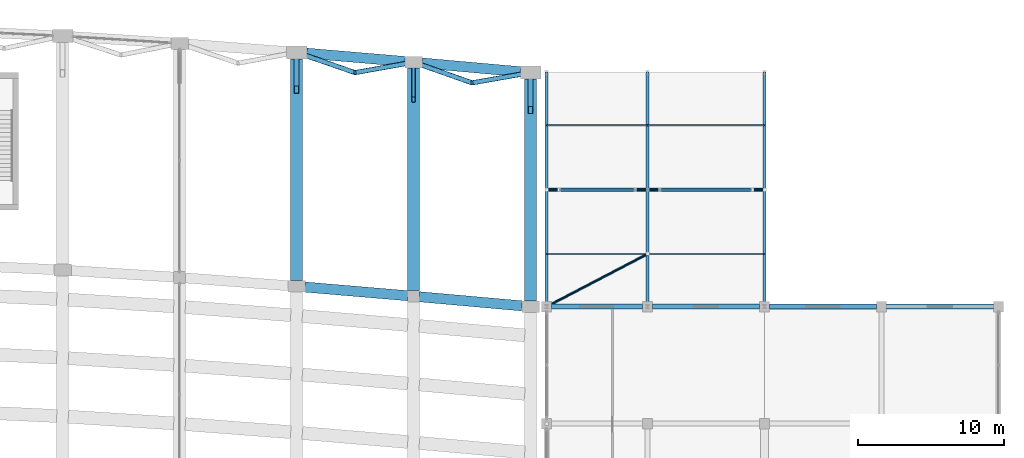
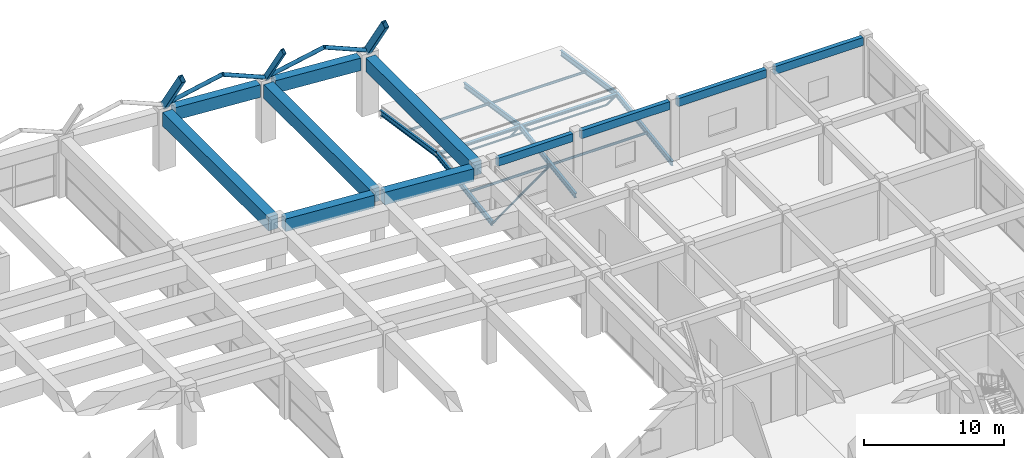
# One storey, part 39 of 69: 20 beams, 16 members.
"""IFC4 building model written with IfcOpenShell, lengths in metres."""

from ifc_helpers import new_model, si_unit, direction, frame, origin, origin_2d, place, context, subcontext, project, spatial, rectangle, hollow_rectangle, hollow_circle, i_section, extrude, material, material_profile, profile_set, type_object, element, save


model = new_model("IFC4")

# Units and contexts
model_context = context("Model", 3, precision=1e-05, world=origin(), true_north=direction((0.0, 1.0)))
body_context = subcontext(model_context, "Body", "Model", "MODEL_VIEW")
ifc_project = project(units=[si_unit("LENGTHUNIT", "METRE"), si_unit("AREAUNIT", "SQUARE_METRE"), si_unit("VOLUMEUNIT", "CUBIC_METRE"), si_unit("PLANEANGLEUNIT", "RADIAN"), si_unit("MASSUNIT", "GRAM", prefix="KILO")], contexts=[model_context])

# Site, building, storey
site_placement = place(None, origin())
site = spatial("IfcSite", under=ifc_project, at=site_placement, CompositionType="ELEMENT")
building_placement = place(site_placement, origin())
building = spatial("IfcBuilding", under=site, at=building_placement, Name="Kenh Van Central Station", CompositionType="ELEMENT")
storey_placement = place(building_placement, frame((0.0, 0.0, 5.39990234375)))
storey = spatial("IfcBuildingStorey", under=building, at=storey_placement, Name="L01", CompositionType="ELEMENT", Elevation=5.39990234375)

# Beams
ifc_material_1 = material(Name="Concrete C40/50", Category="concrete")
ifc_material_profile_1 = material_profile(ifc_material_1, rectangle(XDim=0.699951171875, YDim=1.10009765625, at=origin_2d()), Name="RC 700x1100")
ifc_profile_set_1 = profile_set([ifc_material_profile_1], Name="Concrete C40/50")
beam_type_1 = type_object("IfcBeamType", Name="BM-RC-700x1100", PredefinedType="BEAM", material=ifc_profile_set_1)
beam_1_placement = place(storey_placement, frame((128.587890625, 97.338623046875, 4.530029296875), z_axis=(0.996445671576, -0.084237898821, 0.0), x_axis=(0.084237898821, 0.996445671576, 0.0)))
element("IfcBeam", 1, at=beam_1_placement, inside=storey, type_object=beam_type_1, Name="L01 viaduct girder 1420", PredefinedType="BEAM", context=body_context, shape_type="SweptSolid", body=[
    extrude(rectangle(XDim=0.699951171875, YDim=1.10009765625, at=origin_2d()), origin(), (0.0, 0.0, 1.0), 7.048583984375),
])
beam_2_placement = place(storey_placement, frame((136.388427734375, 96.677490234375, 4.530029296875), z_axis=(0.996061437134, -0.088665740024, 0.0), x_axis=(0.088665740024, 0.996061437134, 0.0)))
element("IfcBeam", 2, at=beam_2_placement, inside=storey, type_object=beam_type_1, Name="L01 viaduct girder 1421", PredefinedType="BEAM", context=body_context, shape_type="SweptSolid", body=[
    extrude(rectangle(XDim=0.699951171875, YDim=1.10009765625, at=origin_2d()), origin(), (0.0, 0.0, 1.0), 7.0517578125),
])
beam_3_placement = place(storey_placement, frame((128.6875, 113.330322265625, 4.530029296875), z_axis=(0.996444229131, -0.084254959688, 0.0), x_axis=(0.084254959688, 0.996444229131, 0.0)))
element("IfcBeam", 3, at=beam_3_placement, inside=storey, type_object=beam_type_1, Name="L01 viaduct girder 1434", PredefinedType="BEAM", context=body_context, shape_type="SweptSolid", body=[
    extrude(rectangle(XDim=0.699951171875, YDim=1.10009765625, at=origin_2d()), origin(), (0.0, 0.0, 1.0), 6.74853515625),
])
beam_4_placement = place(storey_placement, frame((136.587646484375, 112.65966796875, 4.530029296875), z_axis=(0.996064770489, -0.088628285503, 0.0), x_axis=(0.088628285503, 0.996064770489, 0.0)))
element("IfcBeam", 4, at=beam_4_placement, inside=storey, type_object=beam_type_1, Name="L01 viaduct girder 1435", PredefinedType="BEAM", context=body_context, shape_type="SweptSolid", body=[
    extrude(rectangle(XDim=0.699951171875, YDim=1.10009765625, at=origin_2d()), origin(), (0.0, 0.0, 1.0), 6.751708984375),
])
ifc_material_2 = material(Name="Steel S355", Category="steel")
ifc_material_profile_2 = material_profile(ifc_material_2, i_section(OverallWidth=0.18994140625, OverallDepth=0.449951171875, WebThickness=0.009521484375, FlangeThickness=0.0146484375, FilletRadius=0.02099609375, at=origin_2d()), Name="IPE 450")
ifc_profile_set_2 = profile_set([ifc_material_profile_2], Name="Steel S355")
beam_type_2 = type_object("IfcBeamType", Name="BM-STL-IPE450", PredefinedType="BEAM", material=ifc_profile_set_2)
for number, where, z_axis, x_axis, name in (
    (5, (145.10009765625, 96.0, -0.4697265625), (0.0, 0.988937238327, 0.148334549755), (-1.0, 0.0, 0.0), "L01 roof rafter 146"),
    (6, (145.10009765625, 104.0, 0.730224609375), (0.0, 0.988937238327, -0.148334549755), (-1.0, 0.0, 0.0), "L01 roof rafter 147"),
    (7, (152.0, 96.0, -0.4697265625), (0.0, 0.988937238327, 0.148334549755), (-1.0, 0.0, 0.0), "L01 roof rafter 148"),
    (8, (152.0, 104.0, 0.730224609375), (0.0, 0.988937238327, -0.148334549755), (-1.0, 0.0, 0.0), "L01 roof rafter 149"),
    (9, (160.0, 96.0, -0.4697265625), (0.0, 0.988937238327, 0.148334549755), (-1.0, 0.0, 0.0), "L01 roof rafter 150"),
    (10, (160.0, 104.0, 0.730224609375), (0.0, 0.988937238327, -0.148334549755), (-1.0, 0.0, 0.0), "L01 roof rafter 151"),
):
    element("IfcBeam", number, at=place(storey_placement, frame(where, z_axis=z_axis, x_axis=x_axis)), inside=storey, type_object=beam_type_2, Name=name, PredefinedType="BEAM", context=body_context, shape_type="SweptSolid", body=[
        extrude(i_section(OverallWidth=0.18994140625, OverallDepth=0.449951171875, WebThickness=0.009521484375, FlangeThickness=0.0146484375, FilletRadius=0.02099609375, at=origin_2d()), origin(), (0.0, 0.0, 1.0), 8.089599609375),
    ])
ifc_material_profile_3 = material_profile(ifc_material_1, rectangle(XDim=0.800048828125, YDim=1.199951171875, at=origin_2d()), Name="RC 800x1200")
ifc_profile_set_3 = profile_set([ifc_material_profile_3], Name="Concrete C40/50")
beam_type_3 = type_object("IfcBeamType", Name="BM-TRK-800x1200", PredefinedType="BEAM", material=ifc_profile_set_3)
beam_5_placement = place(storey_placement, frame((128.0, 97.7783203125, 4.47998046875), z_axis=(0.0, 1.0, 0.0), x_axis=(-1.0, 0.0, 0.0)))
element("IfcBeam", 11, at=beam_5_placement, inside=storey, type_object=beam_type_3, Name="L01 viaduct cross-girder 1468", PredefinedType="BEAM", context=body_context, shape_type="SweptSolid", body=[
    extrude(rectangle(XDim=0.800048828125, YDim=1.199951171875, at=origin_2d()), origin(), (0.0, 0.0, 1.0), 15.170166015625),
])
beam_6_placement = place(storey_placement, frame((136.0, 97.10205078125, 4.47998046875), z_axis=(0.0, 1.0, 0.0), x_axis=(-1.0, 0.0, 0.0)))
element("IfcBeam", 12, at=beam_6_placement, inside=storey, type_object=beam_type_3, Name="L01 viaduct cross-girder 1471", PredefinedType="BEAM", context=body_context, shape_type="SweptSolid", body=[
    extrude(rectangle(XDim=0.800048828125, YDim=1.199951171875, at=origin_2d()), origin(), (0.0, 0.0, 1.0), 15.219970703125),
])
beam_7_placement = place(storey_placement, frame((144.0, 96.389892578125, 4.47998046875), z_axis=(0.0, 1.0, 0.0), x_axis=(-1.0, 0.0, 0.0)))
element("IfcBeam", 13, at=beam_7_placement, inside=storey, type_object=beam_type_3, Name="L01 viaduct cross-girder 1474", PredefinedType="BEAM", context=body_context, shape_type="SweptSolid", body=[
    extrude(rectangle(XDim=0.800048828125, YDim=1.199951171875, at=origin_2d()), origin(), (0.0, 0.0, 1.0), 15.170166015625),
])
ifc_material_3 = material(Name="White fluoropolymer structural steel S355", Category="steel")
ifc_material_profile_4 = material_profile(ifc_material_3, hollow_rectangle(XDim=0.35009765625, YDim=0.60009765625, WallThickness=0.01611328125, InnerFilletRadius=0.01611328125, OuterFilletRadius=0.031982421875, at=origin_2d()), Name="RHS 600x350x16")
ifc_profile_set_4 = profile_set([ifc_material_profile_4], Name="White fluoropolymer structural steel S355")
beam_type_4 = type_object("IfcBeamType", Name="BM-VAULT-ARCH600", PredefinedType="BEAM", material=ifc_profile_set_4)
for number, where, z_axis, x_axis, name in (
    (14, (128.0, 110.8359375, 9.161865234375), (0.0, 0.549413802018, -0.835550401922), (-1.0, 0.0, 0.0), "Vault transverse arch 153"),
    (15, (144.0, 109.447509765625, 9.161865234375), (0.0, 0.549413802018, -0.835550401922), (-1.0, 0.0, 0.0), "Vault transverse arch 177"),
):
    element("IfcBeam", number, at=place(storey_placement, frame(where, z_axis=z_axis, x_axis=x_axis)), inside=storey, type_object=beam_type_4, Name=name, PredefinedType="BEAM", context=body_context, shape_type="SweptSolid", body=[
        extrude(hollow_rectangle(XDim=0.35009765625, YDim=0.60009765625, WallThickness=0.01611328125, InnerFilletRadius=0.01611328125, OuterFilletRadius=0.031982421875, at=origin_2d()), origin(), (0.0, 0.0, 1.0), 4.645751953125),
    ])
ifc_material_profile_5 = material_profile(ifc_material_3, hollow_rectangle(XDim=0.25, YDim=0.449951171875, WallThickness=0.012451171875, InnerFilletRadius=0.012451171875, OuterFilletRadius=0.02490234375, at=origin_2d()), Name="RHS 450x250x12.5")
ifc_profile_set_5 = profile_set([ifc_material_profile_5], Name="White fluoropolymer structural steel S355")
beam_type_5 = type_object("IfcBeamType", Name="BM-VAULT-SUB450", PredefinedType="BEAM", material=ifc_profile_set_5)
beam_8_placement = place(storey_placement, frame((136.0, 110.15966796875, 9.161865234375), z_axis=(0.0, 0.549413802018, -0.835550401922), x_axis=(-1.0, 0.0, 0.0)))
element("IfcBeam", 16, at=beam_8_placement, inside=storey, type_object=beam_type_5, Name="Vault transverse arch 165", PredefinedType="BEAM", context=body_context, shape_type="SweptSolid", body=[
    extrude(hollow_rectangle(XDim=0.25, YDim=0.449951171875, WallThickness=0.012451171875, InnerFilletRadius=0.012451171875, OuterFilletRadius=0.02490234375, at=origin_2d()), origin(), (0.0, 0.0, 1.0), 4.645751953125),
])

# Members
ifc_material_profile_6 = material_profile(ifc_material_2, i_section(OverallWidth=0.10009765625, OverallDepth=0.199951171875, WebThickness=0.005615234375, FlangeThickness=0.008544921875, FilletRadius=0.011962890625, at=origin_2d()), Name="IPE 200")
ifc_profile_set_6 = profile_set([ifc_material_profile_6], Name="Steel S355")
member_type_1 = type_object("IfcMemberType", Name="MEM-PUR-IPE200", PredefinedType="PURLIN", material=ifc_profile_set_6)
member_1_placement = place(storey_placement, frame((145.10009765625, 99.60009765625, 0.0703125), z_axis=(1.0, 0.0, 0.0), x_axis=(0.0, 1.0, 0.0)))
element("IfcMember", 17, at=member_1_placement, inside=storey, type_object=member_type_1, Name="L01 roof purlin 067", PredefinedType="PURLIN", context=body_context, shape_type="SweptSolid", body=[
    extrude(i_section(OverallWidth=0.10009765625, OverallDepth=0.199951171875, WebThickness=0.005615234375, FlangeThickness=0.008544921875, FilletRadius=0.011962890625, at=origin_2d()), origin(), (0.0, 0.0, 1.0), 6.89990234375),
])
member_2_placement = place(storey_placement, frame((152.0, 99.60009765625, 0.0703125), z_axis=(1.0, 0.0, 0.0), x_axis=(0.0, 1.0, 0.0)))
element("IfcMember", 18, at=member_2_placement, inside=storey, type_object=member_type_1, Name="L01 roof purlin 068", PredefinedType="PURLIN", context=body_context, shape_type="SweptSolid", body=[
    extrude(i_section(OverallWidth=0.10009765625, OverallDepth=0.199951171875, WebThickness=0.005615234375, FlangeThickness=0.008544921875, FilletRadius=0.011962890625, at=origin_2d()), origin(), (0.0, 0.0, 1.0), 8.0),
])
member_3_placement = place(storey_placement, frame((145.10009765625, 108.39990234375, 0.0703125), z_axis=(1.0, 0.0, 0.0), x_axis=(0.0, 1.0, 0.0)))
element("IfcMember", 19, at=member_3_placement, inside=storey, type_object=member_type_1, Name="L01 roof purlin 069", PredefinedType="PURLIN", context=body_context, shape_type="SweptSolid", body=[
    extrude(i_section(OverallWidth=0.10009765625, OverallDepth=0.199951171875, WebThickness=0.005615234375, FlangeThickness=0.008544921875, FilletRadius=0.011962890625, at=origin_2d()), origin(), (0.0, 0.0, 1.0), 6.89990234375),
])
member_4_placement = place(storey_placement, frame((152.0, 108.39990234375, 0.0703125), z_axis=(1.0, 0.0, 0.0), x_axis=(0.0, 1.0, 0.0)))
element("IfcMember", 20, at=member_4_placement, inside=storey, type_object=member_type_1, Name="L01 roof purlin 070", PredefinedType="PURLIN", context=body_context, shape_type="SweptSolid", body=[
    extrude(i_section(OverallWidth=0.10009765625, OverallDepth=0.199951171875, WebThickness=0.005615234375, FlangeThickness=0.008544921875, FilletRadius=0.011962890625, at=origin_2d()), origin(), (0.0, 0.0, 1.0), 8.0),
])
ifc_material_profile_7 = material_profile(ifc_material_2, hollow_circle(Radius=0.084228515625, WallThickness=0.008056640625, at=origin_2d()), Name="CHS 168.3x8")
ifc_profile_set_7 = profile_set([ifc_material_profile_7], Name="Steel S355")
member_type_2 = type_object("IfcMemberType", Name="MEM-ROOF-BRC168", PredefinedType="BRACE", material=ifc_profile_set_7)
member_5_placement = place(storey_placement, frame((145.10009765625, 96.0, -0.4697265625), z_axis=(0.884450252827, 0.461471354759, 0.069223832682), x_axis=(-0.462581015719, 0.886577015208, 0.0)))
element("IfcMember", 21, at=member_5_placement, inside=storey, type_object=member_type_2, Name="L01 roof wind brace 041", PredefinedType="BRACE", context=body_context, shape_type="SweptSolid", body=[
    extrude(hollow_circle(Radius=0.084228515625, WallThickness=0.008056640625, at=origin_2d()), origin(), (0.0, 0.0, 1.0), 7.80126953125),
])
member_6_placement = place(storey_placement, frame((145.949951171875, 104.0, 0.1103515625), z_axis=(1.0, 0.0, 0.0), x_axis=(0.0, 1.0, 0.0)))
element("IfcMember", 22, at=member_6_placement, inside=storey, type_object=member_type_2, Name="L01 roof truss lower chord 042", PredefinedType="BRACE", context=body_context, shape_type="SweptSolid", body=[
    extrude(hollow_circle(Radius=0.084228515625, WallThickness=0.008056640625, at=origin_2d()), origin(), (0.0, 0.0, 1.0), 13.199951171875),
])
for number, where, z_axis, x_axis, name in (
    (23, (145.949951171875, 104.0, 0.1103515625), (-0.80792235235, 0.0, 0.589288955075), (0.0, -1.0, 0.0), "L01 roof truss web diagonal 043"),
    (24, (151.14990234375, 104.0, 0.1103515625), (0.808002927302, 0.0, 0.589178469966), (0.0, 1.0, 0.0), "L01 roof truss web diagonal 044"),
    (25, (152.85009765625, 104.0, 0.1103515625), (-0.808002927302, 0.0, 0.589178469966), (0.0, -1.0, 0.0), "L01 roof truss web diagonal 045"),
    (26, (159.14990234375, 104.0, 0.1103515625), (0.808002927302, 0.0, 0.589178469966), (0.0, 1.0, 0.0), "L01 roof truss web diagonal 046"),
):
    element("IfcMember", number, at=place(storey_placement, frame(where, z_axis=z_axis, x_axis=x_axis)), inside=storey, type_object=member_type_2, Name=name, PredefinedType="BRACE", context=body_context, shape_type="SweptSolid", body=[
        extrude(hollow_circle(Radius=0.084228515625, WallThickness=0.008056640625, at=origin_2d()), origin(), (0.0, 0.0, 1.0), 1.052001953125),
    ])
ifc_material_profile_8 = material_profile(ifc_material_2, i_section(OverallWidth=0.239990234375, OverallDepth=0.22998046875, WebThickness=0.007568359375, FlangeThickness=0.011962890625, FilletRadius=0.02099609375, at=origin_2d()), Name="HEA 240")
ifc_profile_set_8 = profile_set([ifc_material_profile_8], Name="Steel S355")
member_type_3 = type_object("IfcMemberType", Name="MEM-ROOF-HEA240", PredefinedType="CHORD", material=ifc_profile_set_8)
member_7_placement = place(storey_placement, frame((145.10009765625, 104.0, 0.730224609375), z_axis=(1.0, 0.0, 0.0), x_axis=(0.0, 1.0, 0.0)))
element("IfcMember", 27, at=member_7_placement, inside=storey, type_object=member_type_3, Name="L01 roof ridge chord 144", PredefinedType="CHORD", context=body_context, shape_type="SweptSolid", body=[
    extrude(i_section(OverallWidth=0.239990234375, OverallDepth=0.22998046875, WebThickness=0.007568359375, FlangeThickness=0.011962890625, FilletRadius=0.02099609375, at=origin_2d()), origin(), (0.0, 0.0, 1.0), 6.89990234375),
])
member_8_placement = place(storey_placement, frame((152.0, 104.0, 0.730224609375), z_axis=(1.0, 0.0, 0.0), x_axis=(0.0, 1.0, 0.0)))
element("IfcMember", 28, at=member_8_placement, inside=storey, type_object=member_type_3, Name="L01 roof ridge chord 145", PredefinedType="CHORD", context=body_context, shape_type="SweptSolid", body=[
    extrude(i_section(OverallWidth=0.239990234375, OverallDepth=0.22998046875, WebThickness=0.007568359375, FlangeThickness=0.011962890625, FilletRadius=0.02099609375, at=origin_2d()), origin(), (0.0, 0.0, 1.0), 8.0),
])
ifc_material_profile_9 = material_profile(ifc_material_3, hollow_circle(Radius=0.161865234375, WallThickness=0.010009765625, at=origin_2d()), Name="CHS 323.9x10")
ifc_profile_set_9 = profile_set([ifc_material_profile_9], Name="White fluoropolymer structural steel S355")
member_type_4 = type_object("IfcMemberType", Name="MEM-VAULT-CHD324", PredefinedType="CHORD", material=ifc_profile_set_9)
member_9_placement = place(storey_placement, frame((128.0, 113.388427734375, 5.340087890625), z_axis=(0.847300005667, -0.29384513136, 0.442422579863), x_axis=(0.327657153644, 0.944796692239, 0.0)))
element("IfcMember", 29, at=member_9_placement, inside=storey, type_object=member_type_4, Name="Vault diamond grid member 0584", PredefinedType="CHORD", context=body_context, shape_type="SweptSolid", body=[
    extrude(hollow_circle(Radius=0.161865234375, WallThickness=0.010009765625, at=origin_2d()), origin(), (0.0, 0.0, 1.0), 4.720947265625),
])
member_10_placement = place(storey_placement, frame((132.0, 112.001220703125, 7.4287109375), z_axis=(0.875632522493, 0.155629999115, -0.457216566768), x_axis=(-0.174991910694, 0.984569871158, 0.0)))
element("IfcMember", 30, at=member_10_placement, inside=storey, type_object=member_type_4, Name="Vault diamond grid member 0607", PredefinedType="CHORD", context=body_context, shape_type="SweptSolid", body=[
    extrude(hollow_circle(Radius=0.161865234375, WallThickness=0.010009765625, at=origin_2d()), origin(), (0.0, 0.0, 1.0), 4.568115234375),
])
member_11_placement = place(storey_placement, frame((136.0, 112.712158203125, 5.340087890625), z_axis=(0.846121392378, -0.298135912976, 0.441807160144), x_axis=(0.332329254992, 0.943163435613, 0.0)))
element("IfcMember", 31, at=member_11_placement, inside=storey, type_object=member_type_4, Name="Vault diamond grid member 0632", PredefinedType="CHORD", context=body_context, shape_type="SweptSolid", body=[
    extrude(hollow_circle(Radius=0.161865234375, WallThickness=0.010009765625, at=origin_2d()), origin(), (0.0, 0.0, 1.0), 4.7275390625),
])
member_12_placement = place(storey_placement, frame((140.0, 111.302734375, 7.4287109375), z_axis=(0.876036734952, 0.15270757538, -0.457427628632), x_axis=(-0.17172686635, 0.985144600236, 0.0)))
element("IfcMember", 32, at=member_12_placement, inside=storey, type_object=member_type_4, Name="Vault diamond grid member 0655", PredefinedType="CHORD", context=body_context, shape_type="SweptSolid", body=[
    extrude(hollow_circle(Radius=0.161865234375, WallThickness=0.010009765625, at=origin_2d()), origin(), (0.0, 0.0, 1.0), 4.56591796875),
])

# Beams
ifc_material_4 = material(Name="Concrete C35/45", Category="concrete")
ifc_material_profile_10 = material_profile(ifc_material_4, rectangle(XDim=0.35009765625, YDim=0.699951171875, at=origin_2d()), Name="RC 350x700")
ifc_profile_set_10 = profile_set([ifc_material_profile_10], Name="Concrete C35/45")
beam_type_6 = type_object("IfcBeamType", Name="SPD-RC-350x700", PredefinedType="SPANDREL", material=ifc_profile_set_10)
beam_9_placement = place(storey_placement, frame((145.43994140625, 96.0, 4.830078125), z_axis=(1.0, 0.0, 0.0), x_axis=(0.0, 1.0, 0.0)))
element("IfcBeam", 33, at=beam_9_placement, inside=storey, type_object=beam_type_6, Name="L01 beam 0753", PredefinedType="SPANDREL", context=body_context, shape_type="SweptSolid", body=[
    extrude(rectangle(XDim=0.35009765625, YDim=0.699951171875, at=origin_2d()), origin(), (0.0, 0.0, 1.0), 6.219970703125),
])
for number, where, z_axis, x_axis, name in (
    (34, (152.340087890625, 96.0, 4.830078125), (1.0, 0.0, 0.0), (0.0, 1.0, 0.0), "L01 beam 0754"),
    (35, (160.340087890625, 96.0, 4.830078125), (1.0, 0.0, 0.0), (0.0, 1.0, 0.0), "L01 beam 0755"),
    (36, (168.340087890625, 96.0, 4.830078125), (1.0, 0.0, 0.0), (0.0, 1.0, 0.0), "L01 beam 0756"),
):
    element("IfcBeam", number, at=place(storey_placement, frame(where, z_axis=z_axis, x_axis=x_axis)), inside=storey, type_object=beam_type_6, Name=name, PredefinedType="SPANDREL", context=body_context, shape_type="SweptSolid", body=[
        extrude(rectangle(XDim=0.35009765625, YDim=0.699951171875, at=origin_2d()), origin(), (0.0, 0.0, 1.0), 7.31982421875),
    ])

save(model, "model.ifc")
